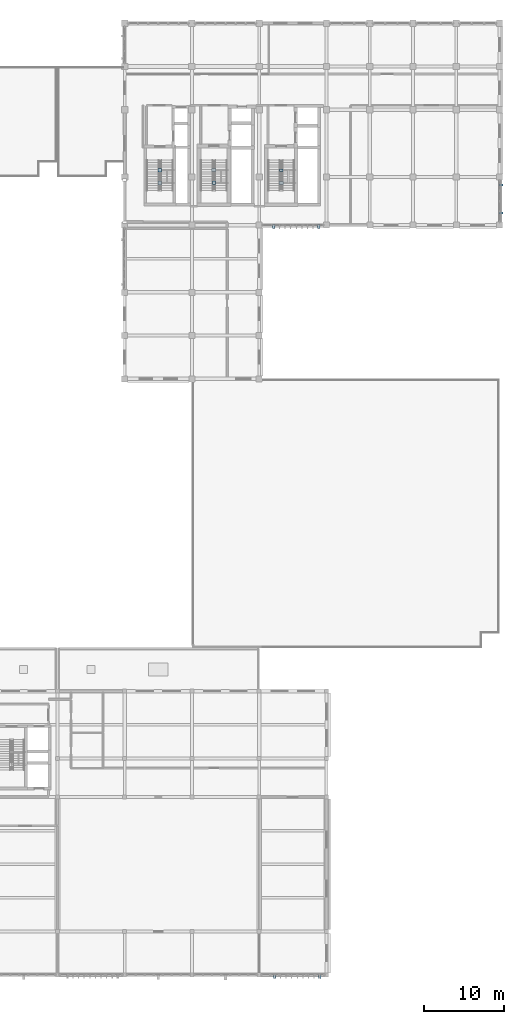
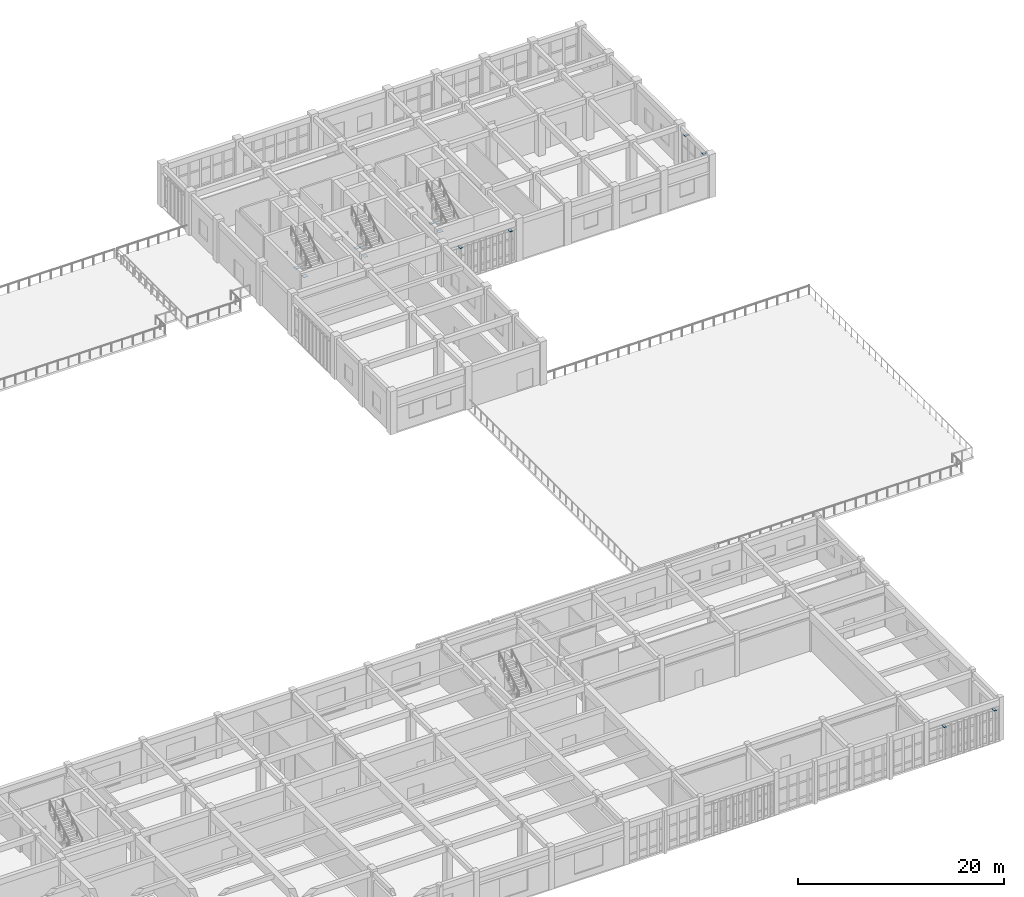
# One storey, part 70 of 93: 12 plates.
"""IFC4 building model written with IfcOpenShell, lengths in metres."""

from ifc_helpers import new_model, si_unit, direction, frame, origin, origin_2d, place, context, subcontext, project, spatial, rectangle, extrude, material, layer, layer_set, type_object, element, save


model = new_model("IFC4")

# Units and contexts
model_context = context("Model", 3, precision=1e-05, world=origin(), true_north=direction((0.0, 1.0)))
body_context = subcontext(model_context, "Body", "Model", "MODEL_VIEW")
ifc_project = project(units=[si_unit("LENGTHUNIT", "METRE"), si_unit("AREAUNIT", "SQUARE_METRE"), si_unit("VOLUMEUNIT", "CUBIC_METRE"), si_unit("PLANEANGLEUNIT", "RADIAN"), si_unit("MASSUNIT", "GRAM", prefix="KILO")], contexts=[model_context])

# Site, building, storey
site_placement = place(None, origin())
site = spatial("IfcSite", under=ifc_project, at=site_placement, CompositionType="ELEMENT")
building_placement = place(site_placement, origin())
building = spatial("IfcBuilding", under=site, at=building_placement, Name="Krzemoval Escarpment Law Courts", CompositionType="ELEMENT")
storey_placement = place(building_placement, frame((0.0, 0.0, 10.199951171875)))
storey = spatial("IfcBuildingStorey", under=building, at=storey_placement, Name="L02", CompositionType="ELEMENT", Elevation=10.199951171875)

# Plates
ifc_material_1 = material(Name="Anodised Aluminium Alloy 6063-T6", Category="aluminium")
ifc_layer_1 = layer(ifc_material_1, 0.01611328125)
ifc_layer_set_1 = layer_set([ifc_layer_1], Name="Anodised Aluminium Alloy 6063-T6")
plate_type_1 = type_object("IfcPlateType", Name="PLT-FIN-16", PredefinedType="USERDEFINED", material=ifc_layer_set_1)
for number, where, z_axis, x_axis, name in (
    (1, (150.35009765625, -0.199951171875, 3.89208984375), (0.0, 0.0, 1.0), (0.0, -1.0, 0.0), "Sunshade Fin Blade FN-L02-0534"),
    (2, (144.75, -0.199951171875, 3.89208984375), (0.0, 0.0, 1.0), (0.0, -1.0, 0.0), "Sunshade Fin Blade FN-L02-0542"),
    (3, (173.0, 98.60009765625, 4.0419921875), (0.0, 0.0, 1.0), (1.0, 0.0, 0.0), "Sunshade Fin Blade FN-L02-0564"),
    (4, (173.0, 95.10009765625, 4.0419921875), (0.0, 0.0, 1.0), (1.0, 0.0, 0.0), "Sunshade Fin Blade FN-L02-0569"),
    (5, (150.22509765625, 93.39990234375, 3.89208984375), (0.0, 0.0, 1.0), (0.0, -1.0, 0.0), "Sunshade Fin Blade FN-L02-0575"),
    (6, (144.625, 93.39990234375, 3.89208984375), (0.0, 0.0, 1.0), (0.0, -1.0, 0.0), "Sunshade Fin Blade FN-L02-0583"),
):
    element("IfcPlate", number, at=place(storey_placement, frame(where, z_axis=z_axis, x_axis=x_axis)), inside=storey, type_object=plate_type_1, Name=name, ObjectType="SUNSHADE_FIN", PredefinedType="USERDEFINED", context=body_context, shape_type="SweptSolid", body=[
        extrude(rectangle(XDim=0.52001953125, YDim=0.280029296875, at=origin_2d()), origin(), (0.0, 0.0, 1.0), 0.01611328125),
    ])
ifc_material_2 = material(Name="Steel S355", Category="steel")
ifc_layer_2 = layer(ifc_material_2, 0.02392578125)
ifc_layer_set_2 = layer_set([ifc_layer_2], Name="Steel S355")
plate_type_2 = type_object("IfcPlateType", Name="PLT-FLG-24", PredefinedType="USERDEFINED", material=ifc_layer_set_2)
for number, where, z_axis, x_axis, name in (
    (7, (130.39990234375, 100.4599609375, 2.108154296875), (0.0, 0.0, 1.0), (1.0, 0.0, 0.0), "Gusset and End-Cap Plate ECP-0303"),
    (8, (137.14990234375, 98.860107421875, 2.108154296875), (0.0, 0.0, 1.0), (1.0, 0.0, 0.0), "Gusset and End-Cap Plate ECP-0324"),
):
    element("IfcPlate", number, at=place(storey_placement, frame(where, z_axis=z_axis, x_axis=x_axis)), inside=storey, type_object=plate_type_2, Name=name, ObjectType="FLANGE_PLATE", PredefinedType="USERDEFINED", context=body_context, shape_type="SweptSolid", body=[
        extrude(rectangle(XDim=0.419921875, YDim=0.419921875, at=origin_2d()), origin(), (0.0, 0.0, 1.0), 0.02392578125),
    ])
ifc_material_3 = material(Name="Steel S355", Category="steel")
ifc_layer_3 = layer(ifc_material_3, 0.034912109375)
ifc_layer_set_3 = layer_set([ifc_layer_3], Name="Steel S355")
plate_type_3 = type_object("IfcPlateType", Name="PLT-FLG-35", PredefinedType="USERDEFINED", material=ifc_layer_set_3)
plate_1_placement = place(storey_placement, frame((130.39990234375, 98.860107421875, 2.1025390625), z_axis=(0.0, 0.0, 1.0), x_axis=(1.0, 0.0, 0.0)))
element("IfcPlate", 9, at=plate_1_placement, inside=storey, type_object=plate_type_3, Name="Gusset and End-Cap Plate ECP-0302", ObjectType="FLANGE_PLATE", PredefinedType="USERDEFINED", context=body_context, shape_type="SweptSolid", body=[
    extrude(rectangle(XDim=0.4599609375, YDim=0.4599609375, at=origin_2d()), origin(), (0.0, 0.0, 1.0), 0.034912109375),
])
ifc_material_4 = material(Name="Steel S355", Category="steel")
ifc_layer_4 = layer(ifc_material_4, 0.02001953125)
ifc_layer_set_4 = layer_set([ifc_layer_4], Name="Steel S355")
plate_type_4 = type_object("IfcPlateType", Name="PLT-GUS-20", PredefinedType="USERDEFINED", material=ifc_layer_set_4)
plate_2_placement = place(storey_placement, frame((145.550048828125, 100.4599609375, 2.110107421875), z_axis=(0.0, 0.0, 1.0), x_axis=(1.0, 0.0, 0.0)))
element("IfcPlate", 10, at=plate_2_placement, inside=storey, type_object=plate_type_4, Name="Gusset and End-Cap Plate ECP-0347", ObjectType="GUSSET_PLATE", PredefinedType="USERDEFINED", context=body_context, shape_type="SweptSolid", body=[
    extrude(rectangle(XDim=0.47998046875, YDim=0.320068359375, at=origin_2d()), origin(), (0.0, 0.0, 1.0), 0.02001953125),
])
ifc_material_5 = material(Name="Steel S355", Category="steel")
ifc_layer_5 = layer(ifc_material_5, 0.030029296875)
ifc_layer_set_5 = layer_set([ifc_layer_5], Name="Steel S355")
plate_type_5 = type_object("IfcPlateType", Name="PLT-GUS-30", PredefinedType="USERDEFINED", material=ifc_layer_set_5)
for number, where, z_axis, x_axis, name in (
    (11, (137.14990234375, 100.4599609375, 2.10498046875), (0.0, 0.0, 1.0), (1.0, 0.0, 0.0), "Gusset and End-Cap Plate ECP-0325"),
    (12, (145.550048828125, 98.860107421875, 2.10498046875), (0.0, 0.0, 1.0), (1.0, 0.0, 0.0), "Gusset and End-Cap Plate ECP-0346"),
):
    element("IfcPlate", number, at=place(storey_placement, frame(where, z_axis=z_axis, x_axis=x_axis)), inside=storey, type_object=plate_type_5, Name=name, ObjectType="GUSSET_PLATE", PredefinedType="USERDEFINED", context=body_context, shape_type="SweptSolid", body=[
        extrude(rectangle(XDim=0.56005859375, YDim=0.360107421875, at=origin_2d()), origin(), (0.0, 0.0, 1.0), 0.030029296875),
    ])

save(model, "model.ifc")
